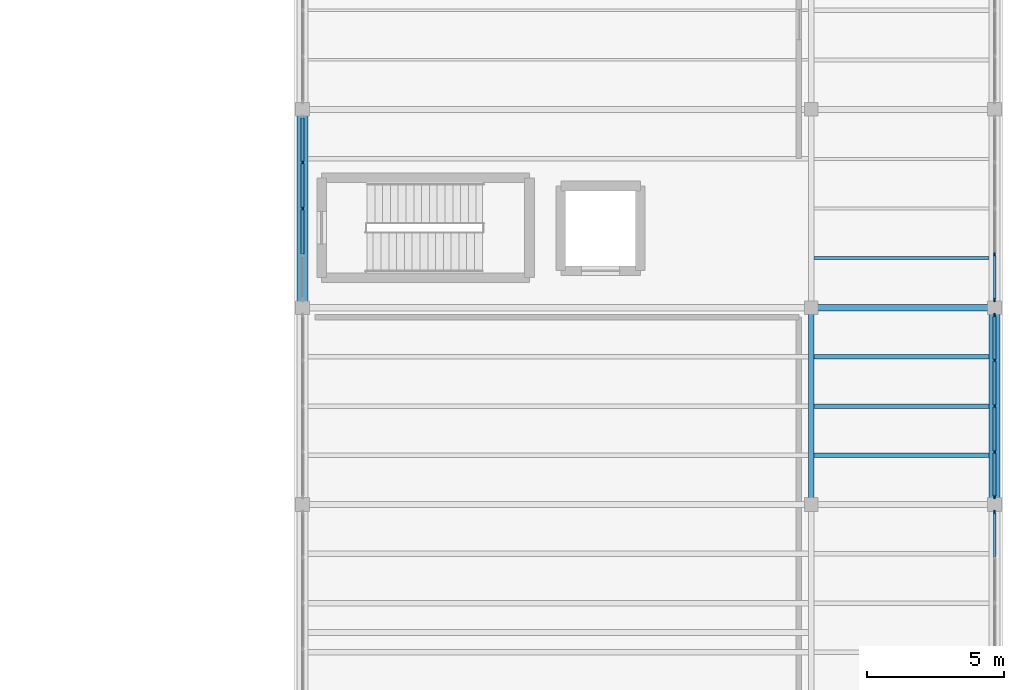
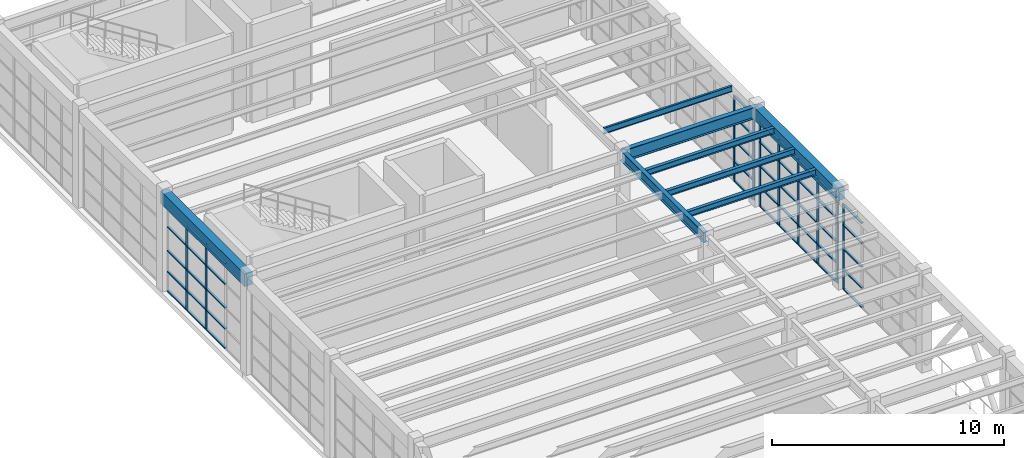
# One storey, part 56 of 103: 54 members, 8 beams, 4 elements without a shape of their own.
"""IFC4 building model written with IfcOpenShell, lengths in metres."""

from ifc_helpers import new_model, si_unit, direction, frame, origin, origin_2d, place, context, subcontext, project, spatial, rectangle, i_section, extrude, material, layer, layer_set, material_profile, profile_set, type_object, element, aggregate, save


model = new_model("IFC4")

# Units and contexts
model_context = context("Model", 3, precision=1e-05, world=origin(), true_north=direction((0.0, 1.0)))
body_context = subcontext(model_context, "Body", "Model", "MODEL_VIEW")
ifc_project = project(units=[si_unit("LENGTHUNIT", "METRE"), si_unit("AREAUNIT", "SQUARE_METRE"), si_unit("VOLUMEUNIT", "CUBIC_METRE"), si_unit("PLANEANGLEUNIT", "RADIAN"), si_unit("MASSUNIT", "GRAM", prefix="KILO")], contexts=[model_context])

# Site, building, storey
site_placement = place(None, origin())
site = spatial("IfcSite", under=ifc_project, at=site_placement, CompositionType="ELEMENT")
building_placement = place(site_placement, origin())
building = spatial("IfcBuilding", under=site, at=building_placement, Name="Candilejo Ridge Gondola Terminal", CompositionType="ELEMENT")
storey_placement = place(building_placement, frame((0.0, 0.0, 9.0)))
storey = spatial("IfcBuildingStorey", under=building, at=storey_placement, Name="L02", CompositionType="ELEMENT", Elevation=9.0)

# Curtain wall, member
ifc_material_1 = material(Name="Anodised aluminium AA 6063-T6", Category="aluminium")
ifc_layer_1 = layer(ifc_material_1, 0.169921875)
ifc_layer_set_1 = layer_set([ifc_layer_1], Name="ARC-CW-TOWER-3000-670X449")
curtain_wall_type_1 = type_object("IfcCurtainWallType", Name="ARC-CW-TOWER-3000-670X449", PredefinedType="NOTDEFINED", material=ifc_layer_set_1)
curtain_wall_1_placement = place(storey_placement, origin())
curtain_wall_1 = element("IfcCurtainWall", 1, at=curtain_wall_1_placement, inside=storey, type_object=curtain_wall_type_1, Name="Curtain wall V5 L02-183", PredefinedType="NOTDEFINED")
ifc_material_2 = material(Name="Anodised aluminium AA 6063-T6", Category="aluminium")
ifc_material_profile_1 = material_profile(ifc_material_2, rectangle(XDim=0.06494140625, YDim=0.14990234375, at=origin_2d()))
ifc_profile_set_1 = profile_set([ifc_material_profile_1], Name="Anodised aluminium AA 6063-T6")
member_type_1 = type_object("IfcMemberType", Name="ARC-CW-MULLION-150", PredefinedType="MULLION", material=ifc_profile_set_1)
member_1_placement = place(storey_placement, frame((175.300048828125, 91.5673828125, 0.0), z_axis=(0.0, 0.0, 1.0), x_axis=(-1.0, 0.0, 0.0)))
member_1 = element("IfcMember", 2, at=member_1_placement, type_object=member_type_1, Name="CW-67X44 mullion 5", PredefinedType="MULLION", context=body_context, shape_type="SweptSolid", body=[
    extrude(rectangle(XDim=0.06494140625, YDim=0.14990234375, at=origin_2d()), origin(), (0.0, 0.0, 1.0), 4.489990234375),
])

# Curtain wall, members
curtain_wall_2_placement = place(storey_placement, origin())
curtain_wall_2 = element("IfcCurtainWall", 3, at=curtain_wall_2_placement, inside=storey, type_object=curtain_wall_type_1, Name="Curtain wall V5 L02-185", PredefinedType="NOTDEFINED")
member_2_placement = place(storey_placement, frame((175.300048828125, 92.132568359375, 0.0), z_axis=(0.0, 0.0, 1.0), x_axis=(-1.0, 0.0, 0.0)))
member_2 = element("IfcMember", 4, at=member_2_placement, type_object=member_type_1, Name="CW-67X44 mullion 1", PredefinedType="MULLION", context=body_context, shape_type="SweptSolid", body=[
    extrude(rectangle(XDim=0.06494140625, YDim=0.14990234375, at=origin_2d()), origin(), (0.0, 0.0, 1.0), 4.489990234375),
])
member_3_placement = place(storey_placement, frame((175.300048828125, 93.77490234375, 0.0), z_axis=(0.0, 0.0, 1.0), x_axis=(-1.0, 0.0, 0.0)))
member_3 = element("IfcMember", 5, at=member_3_placement, type_object=member_type_1, Name="CW-67X44 mullion 2", PredefinedType="MULLION", context=body_context, shape_type="SweptSolid", body=[
    extrude(rectangle(XDim=0.06494140625, YDim=0.14990234375, at=origin_2d()), origin(), (0.0, 0.0, 1.0), 4.489990234375),
])
member_4_placement = place(storey_placement, frame((175.300048828125, 95.449951171875, 0.0), z_axis=(0.0, 0.0, 1.0), x_axis=(-1.0, 0.0, 0.0)))
member_4 = element("IfcMember", 6, at=member_4_placement, type_object=member_type_1, Name="CW-67X44 mullion 3", PredefinedType="MULLION", context=body_context, shape_type="SweptSolid", body=[
    extrude(rectangle(XDim=0.06494140625, YDim=0.14990234375, at=origin_2d()), origin(), (0.0, 0.0, 1.0), 4.489990234375),
])
member_5_placement = place(storey_placement, frame((175.300048828125, 97.125, 0.0), z_axis=(0.0, 0.0, 1.0), x_axis=(-1.0, 0.0, 0.0)))
member_5 = element("IfcMember", 7, at=member_5_placement, type_object=member_type_1, Name="CW-67X44 mullion 4", PredefinedType="MULLION", context=body_context, shape_type="SweptSolid", body=[
    extrude(rectangle(XDim=0.06494140625, YDim=0.14990234375, at=origin_2d()), origin(), (0.0, 0.0, 1.0), 4.489990234375),
])
member_6_placement = place(storey_placement, frame((175.300048828125, 98.767578125, 0.0), z_axis=(0.0, 0.0, 1.0), x_axis=(-1.0, 0.0, 0.0)))
member_6 = element("IfcMember", 8, at=member_6_placement, type_object=member_type_1, Name="CW-67X44 mullion 5", PredefinedType="MULLION", context=body_context, shape_type="SweptSolid", body=[
    extrude(rectangle(XDim=0.06494140625, YDim=0.14990234375, at=origin_2d()), origin(), (0.0, 0.0, 1.0), 4.489990234375),
])

ifc_material_3 = material(Name="Anodised aluminium AA 6063-T6", Category="aluminium")
ifc_layer_2 = layer(ifc_material_3, 0.169921875)
ifc_layer_set_2 = layer_set([ifc_layer_2], Name="ARC-CW-TOWER-3000-675X449")
curtain_wall_type_2 = type_object("IfcCurtainWallType", Name="ARC-CW-TOWER-3000-675X449", PredefinedType="NOTDEFINED", material=ifc_layer_set_2)
curtain_wall_3_placement = place(storey_placement, origin())
curtain_wall_3 = element("IfcCurtainWall", 9, at=curtain_wall_3_placement, inside=storey, type_object=curtain_wall_type_2, Name="Curtain wall V5 L02-186", PredefinedType="NOTDEFINED")
member_7_placement = place(storey_placement, frame((150.0, 102.675048828125, 0.0), z_axis=(0.0, 0.0, 1.0), x_axis=(-1.0, 0.0, 0.0)))
member_7 = element("IfcMember", 10, at=member_7_placement, type_object=member_type_1, Name="CW-67X44 mullion 3", PredefinedType="MULLION", context=body_context, shape_type="SweptSolid", body=[
    extrude(rectangle(XDim=0.06494140625, YDim=0.14990234375, at=origin_2d()), origin(), (0.0, 0.0, 1.0), 4.489990234375),
])
member_8_placement = place(storey_placement, frame((150.0, 104.362548828125, 0.0), z_axis=(0.0, 0.0, 1.0), x_axis=(-1.0, 0.0, 0.0)))
member_8 = element("IfcMember", 11, at=member_8_placement, type_object=member_type_1, Name="CW-67X44 mullion 4", PredefinedType="MULLION", context=body_context, shape_type="SweptSolid", body=[
    extrude(rectangle(XDim=0.06494140625, YDim=0.14990234375, at=origin_2d()), origin(), (0.0, 0.0, 1.0), 4.489990234375),
])

curtain_wall_4_placement = place(storey_placement, origin())
curtain_wall_4 = element("IfcCurtainWall", 12, at=curtain_wall_4_placement, inside=storey, type_object=curtain_wall_type_2, Name="Curtain wall V5 L02-187", PredefinedType="NOTDEFINED")
member_9_placement = place(storey_placement, frame((175.300048828125, 99.33251953125, 0.0), z_axis=(0.0, 0.0, 1.0), x_axis=(-1.0, 0.0, 0.0)))
member_9 = element("IfcMember", 13, at=member_9_placement, type_object=member_type_1, Name="CW-67X44 mullion 1", PredefinedType="MULLION", context=body_context, shape_type="SweptSolid", body=[
    extrude(rectangle(XDim=0.06494140625, YDim=0.14990234375, at=origin_2d()), origin(), (0.0, 0.0, 1.0), 4.489990234375),
])
member_10_placement = place(storey_placement, frame((175.300048828125, 100.987548828125, 0.0), z_axis=(0.0, 0.0, 1.0), x_axis=(-1.0, 0.0, 0.0)))
member_10 = element("IfcMember", 14, at=member_10_placement, type_object=member_type_1, Name="CW-67X44 mullion 2", PredefinedType="MULLION", context=body_context, shape_type="SweptSolid", body=[
    extrude(rectangle(XDim=0.06494140625, YDim=0.14990234375, at=origin_2d()), origin(), (0.0, 0.0, 1.0), 4.489990234375),
])

# Member
ifc_material_4 = material(Name="Anodised aluminium AA 6063-T6", Category="aluminium")
ifc_material_profile_2 = material_profile(ifc_material_4, rectangle(XDim=0.110107421875, YDim=0.06005859375, at=origin_2d()))
ifc_profile_set_2 = profile_set([ifc_material_profile_2], Name="Anodised aluminium AA 6063-T6")
member_type_2 = type_object("IfcMemberType", Name="ARC-CW-TRANSOM-110", PredefinedType="USERDEFINED", material=ifc_profile_set_2)
member_11_placement = place(storey_placement, frame((175.300048828125, 89.95751953125, 0.030029296875), z_axis=(0.0, 1.0, 0.0), x_axis=(-1.0, 0.0, 0.0)))
member_11 = element("IfcMember", 15, at=member_11_placement, type_object=member_type_2, Name="CW-67X44 transom 4.1", ObjectType="TRANSOM", PredefinedType="USERDEFINED", context=body_context, shape_type="SweptSolid", body=[
    extrude(rectangle(XDim=0.110107421875, YDim=0.06005859375, at=origin_2d()), origin(), (0.0, 0.0, 1.0), 1.577392578125),
])

member_12_placement = place(storey_placement, frame((175.300048828125, 89.95751953125, 1.050048828125), z_axis=(0.0, 1.0, 0.0), x_axis=(-1.0, 0.0, 0.0)))
member_12 = element("IfcMember", 16, at=member_12_placement, type_object=member_type_2, Name="CW-67X44 transom 4.2", ObjectType="TRANSOM", PredefinedType="USERDEFINED", context=body_context, shape_type="SweptSolid", body=[
    extrude(rectangle(XDim=0.110107421875, YDim=0.06005859375, at=origin_2d()), origin(), (0.0, 0.0, 1.0), 1.577392578125),
])

member_13_placement = place(storey_placement, frame((175.300048828125, 89.95751953125, 2.14990234375), z_axis=(0.0, 1.0, 0.0), x_axis=(-1.0, 0.0, 0.0)))
member_13 = element("IfcMember", 17, at=member_13_placement, type_object=member_type_2, Name="CW-67X44 transom 4.3", ObjectType="TRANSOM", PredefinedType="USERDEFINED", context=body_context, shape_type="SweptSolid", body=[
    extrude(rectangle(XDim=0.110107421875, YDim=0.06005859375, at=origin_2d()), origin(), (0.0, 0.0, 1.0), 1.577392578125),
])

member_14_placement = place(storey_placement, frame((175.300048828125, 89.95751953125, 3.39990234375), z_axis=(0.0, 1.0, 0.0), x_axis=(-1.0, 0.0, 0.0)))
member_14 = element("IfcMember", 18, at=member_14_placement, type_object=member_type_2, Name="CW-67X44 transom 4.4", ObjectType="TRANSOM", PredefinedType="USERDEFINED", context=body_context, shape_type="SweptSolid", body=[
    extrude(rectangle(XDim=0.110107421875, YDim=0.06005859375, at=origin_2d()), origin(), (0.0, 0.0, 1.0), 1.577392578125),
])

member_15_placement = place(storey_placement, frame((175.300048828125, 89.95751953125, 4.4599609375), z_axis=(0.0, 1.0, 0.0), x_axis=(-1.0, 0.0, 0.0)))
member_15 = element("IfcMember", 19, at=member_15_placement, type_object=member_type_2, Name="CW-67X44 transom 4.5", ObjectType="TRANSOM", PredefinedType="USERDEFINED", context=body_context, shape_type="SweptSolid", body=[
    extrude(rectangle(XDim=0.110107421875, YDim=0.06005859375, at=origin_2d()), origin(), (0.0, 0.0, 1.0), 1.577392578125),
])

aggregate(curtain_wall_1, [member_1, member_11, member_12, member_13, member_14, member_15])

member_16_placement = place(storey_placement, frame((175.300048828125, 92.1650390625, 0.030029296875), z_axis=(0.0, 1.0, 0.0), x_axis=(-1.0, 0.0, 0.0)))
member_16 = element("IfcMember", 20, at=member_16_placement, type_object=member_type_2, Name="CW-67X44 transom 1.1", ObjectType="TRANSOM", PredefinedType="USERDEFINED", context=body_context, shape_type="SweptSolid", body=[
    extrude(rectangle(XDim=0.110107421875, YDim=0.06005859375, at=origin_2d()), origin(), (0.0, 0.0, 1.0), 1.577392578125),
])

member_17_placement = place(storey_placement, frame((175.300048828125, 92.1650390625, 1.050048828125), z_axis=(0.0, 1.0, 0.0), x_axis=(-1.0, 0.0, 0.0)))
member_17 = element("IfcMember", 21, at=member_17_placement, type_object=member_type_2, Name="CW-67X44 transom 1.2", ObjectType="TRANSOM", PredefinedType="USERDEFINED", context=body_context, shape_type="SweptSolid", body=[
    extrude(rectangle(XDim=0.110107421875, YDim=0.06005859375, at=origin_2d()), origin(), (0.0, 0.0, 1.0), 1.577392578125),
])

member_18_placement = place(storey_placement, frame((175.300048828125, 92.1650390625, 2.14990234375), z_axis=(0.0, 1.0, 0.0), x_axis=(-1.0, 0.0, 0.0)))
member_18 = element("IfcMember", 22, at=member_18_placement, type_object=member_type_2, Name="CW-67X44 transom 1.3", ObjectType="TRANSOM", PredefinedType="USERDEFINED", context=body_context, shape_type="SweptSolid", body=[
    extrude(rectangle(XDim=0.110107421875, YDim=0.06005859375, at=origin_2d()), origin(), (0.0, 0.0, 1.0), 1.577392578125),
])

member_19_placement = place(storey_placement, frame((175.300048828125, 92.1650390625, 3.39990234375), z_axis=(0.0, 1.0, 0.0), x_axis=(-1.0, 0.0, 0.0)))
member_19 = element("IfcMember", 23, at=member_19_placement, type_object=member_type_2, Name="CW-67X44 transom 1.4", ObjectType="TRANSOM", PredefinedType="USERDEFINED", context=body_context, shape_type="SweptSolid", body=[
    extrude(rectangle(XDim=0.110107421875, YDim=0.06005859375, at=origin_2d()), origin(), (0.0, 0.0, 1.0), 1.577392578125),
])

member_20_placement = place(storey_placement, frame((175.300048828125, 92.1650390625, 4.4599609375), z_axis=(0.0, 1.0, 0.0), x_axis=(-1.0, 0.0, 0.0)))
member_20 = element("IfcMember", 24, at=member_20_placement, type_object=member_type_2, Name="CW-67X44 transom 1.5", ObjectType="TRANSOM", PredefinedType="USERDEFINED", context=body_context, shape_type="SweptSolid", body=[
    extrude(rectangle(XDim=0.110107421875, YDim=0.06005859375, at=origin_2d()), origin(), (0.0, 0.0, 1.0), 1.577392578125),
])

member_21_placement = place(storey_placement, frame((175.300048828125, 93.8076171875, 0.030029296875), z_axis=(0.0, 1.0, 0.0), x_axis=(-1.0, 0.0, 0.0)))
member_21 = element("IfcMember", 25, at=member_21_placement, type_object=member_type_2, Name="CW-67X44 transom 2.1", ObjectType="TRANSOM", PredefinedType="USERDEFINED", context=body_context, shape_type="SweptSolid", body=[
    extrude(rectangle(XDim=0.110107421875, YDim=0.06005859375, at=origin_2d()), origin(), (0.0, 0.0, 1.0), 1.60986328125),
])

member_22_placement = place(storey_placement, frame((175.300048828125, 93.8076171875, 1.050048828125), z_axis=(0.0, 1.0, 0.0), x_axis=(-1.0, 0.0, 0.0)))
member_22 = element("IfcMember", 26, at=member_22_placement, type_object=member_type_2, Name="CW-67X44 transom 2.2", ObjectType="TRANSOM", PredefinedType="USERDEFINED", context=body_context, shape_type="SweptSolid", body=[
    extrude(rectangle(XDim=0.110107421875, YDim=0.06005859375, at=origin_2d()), origin(), (0.0, 0.0, 1.0), 1.60986328125),
])

member_23_placement = place(storey_placement, frame((175.300048828125, 93.8076171875, 2.14990234375), z_axis=(0.0, 1.0, 0.0), x_axis=(-1.0, 0.0, 0.0)))
member_23 = element("IfcMember", 27, at=member_23_placement, type_object=member_type_2, Name="CW-67X44 transom 2.3", ObjectType="TRANSOM", PredefinedType="USERDEFINED", context=body_context, shape_type="SweptSolid", body=[
    extrude(rectangle(XDim=0.110107421875, YDim=0.06005859375, at=origin_2d()), origin(), (0.0, 0.0, 1.0), 1.60986328125),
])

member_24_placement = place(storey_placement, frame((175.300048828125, 93.8076171875, 3.39990234375), z_axis=(0.0, 1.0, 0.0), x_axis=(-1.0, 0.0, 0.0)))
member_24 = element("IfcMember", 28, at=member_24_placement, type_object=member_type_2, Name="CW-67X44 transom 2.4", ObjectType="TRANSOM", PredefinedType="USERDEFINED", context=body_context, shape_type="SweptSolid", body=[
    extrude(rectangle(XDim=0.110107421875, YDim=0.06005859375, at=origin_2d()), origin(), (0.0, 0.0, 1.0), 1.60986328125),
])

member_25_placement = place(storey_placement, frame((175.300048828125, 93.8076171875, 4.4599609375), z_axis=(0.0, 1.0, 0.0), x_axis=(-1.0, 0.0, 0.0)))
member_25 = element("IfcMember", 29, at=member_25_placement, type_object=member_type_2, Name="CW-67X44 transom 2.5", ObjectType="TRANSOM", PredefinedType="USERDEFINED", context=body_context, shape_type="SweptSolid", body=[
    extrude(rectangle(XDim=0.110107421875, YDim=0.06005859375, at=origin_2d()), origin(), (0.0, 0.0, 1.0), 1.60986328125),
])

member_26_placement = place(storey_placement, frame((175.300048828125, 95.482421875, 0.030029296875), z_axis=(0.0, 1.0, 0.0), x_axis=(-1.0, 0.0, 0.0)))
member_26 = element("IfcMember", 30, at=member_26_placement, type_object=member_type_2, Name="CW-67X44 transom 3.1", ObjectType="TRANSOM", PredefinedType="USERDEFINED", context=body_context, shape_type="SweptSolid", body=[
    extrude(rectangle(XDim=0.110107421875, YDim=0.06005859375, at=origin_2d()), origin(), (0.0, 0.0, 1.0), 1.610107421875),
])

member_27_placement = place(storey_placement, frame((175.300048828125, 95.482421875, 1.050048828125), z_axis=(0.0, 1.0, 0.0), x_axis=(-1.0, 0.0, 0.0)))
member_27 = element("IfcMember", 31, at=member_27_placement, type_object=member_type_2, Name="CW-67X44 transom 3.2", ObjectType="TRANSOM", PredefinedType="USERDEFINED", context=body_context, shape_type="SweptSolid", body=[
    extrude(rectangle(XDim=0.110107421875, YDim=0.06005859375, at=origin_2d()), origin(), (0.0, 0.0, 1.0), 1.610107421875),
])

member_28_placement = place(storey_placement, frame((175.300048828125, 95.482421875, 2.14990234375), z_axis=(0.0, 1.0, 0.0), x_axis=(-1.0, 0.0, 0.0)))
member_28 = element("IfcMember", 32, at=member_28_placement, type_object=member_type_2, Name="CW-67X44 transom 3.3", ObjectType="TRANSOM", PredefinedType="USERDEFINED", context=body_context, shape_type="SweptSolid", body=[
    extrude(rectangle(XDim=0.110107421875, YDim=0.06005859375, at=origin_2d()), origin(), (0.0, 0.0, 1.0), 1.610107421875),
])

member_29_placement = place(storey_placement, frame((175.300048828125, 95.482421875, 3.39990234375), z_axis=(0.0, 1.0, 0.0), x_axis=(-1.0, 0.0, 0.0)))
member_29 = element("IfcMember", 33, at=member_29_placement, type_object=member_type_2, Name="CW-67X44 transom 3.4", ObjectType="TRANSOM", PredefinedType="USERDEFINED", context=body_context, shape_type="SweptSolid", body=[
    extrude(rectangle(XDim=0.110107421875, YDim=0.06005859375, at=origin_2d()), origin(), (0.0, 0.0, 1.0), 1.610107421875),
])

member_30_placement = place(storey_placement, frame((175.300048828125, 95.482421875, 4.4599609375), z_axis=(0.0, 1.0, 0.0), x_axis=(-1.0, 0.0, 0.0)))
member_30 = element("IfcMember", 34, at=member_30_placement, type_object=member_type_2, Name="CW-67X44 transom 3.5", ObjectType="TRANSOM", PredefinedType="USERDEFINED", context=body_context, shape_type="SweptSolid", body=[
    extrude(rectangle(XDim=0.110107421875, YDim=0.06005859375, at=origin_2d()), origin(), (0.0, 0.0, 1.0), 1.610107421875),
])

member_31_placement = place(storey_placement, frame((175.300048828125, 97.157470703125, 0.030029296875), z_axis=(0.0, 1.0, 0.0), x_axis=(-1.0, 0.0, 0.0)))
member_31 = element("IfcMember", 35, at=member_31_placement, type_object=member_type_2, Name="CW-67X44 transom 4.1", ObjectType="TRANSOM", PredefinedType="USERDEFINED", context=body_context, shape_type="SweptSolid", body=[
    extrude(rectangle(XDim=0.110107421875, YDim=0.06005859375, at=origin_2d()), origin(), (0.0, 0.0, 1.0), 1.57763671875),
])

member_32_placement = place(storey_placement, frame((175.300048828125, 97.157470703125, 1.050048828125), z_axis=(0.0, 1.0, 0.0), x_axis=(-1.0, 0.0, 0.0)))
member_32 = element("IfcMember", 36, at=member_32_placement, type_object=member_type_2, Name="CW-67X44 transom 4.2", ObjectType="TRANSOM", PredefinedType="USERDEFINED", context=body_context, shape_type="SweptSolid", body=[
    extrude(rectangle(XDim=0.110107421875, YDim=0.06005859375, at=origin_2d()), origin(), (0.0, 0.0, 1.0), 1.57763671875),
])

member_33_placement = place(storey_placement, frame((175.300048828125, 97.157470703125, 2.14990234375), z_axis=(0.0, 1.0, 0.0), x_axis=(-1.0, 0.0, 0.0)))
member_33 = element("IfcMember", 37, at=member_33_placement, type_object=member_type_2, Name="CW-67X44 transom 4.3", ObjectType="TRANSOM", PredefinedType="USERDEFINED", context=body_context, shape_type="SweptSolid", body=[
    extrude(rectangle(XDim=0.110107421875, YDim=0.06005859375, at=origin_2d()), origin(), (0.0, 0.0, 1.0), 1.57763671875),
])

member_34_placement = place(storey_placement, frame((175.300048828125, 97.157470703125, 3.39990234375), z_axis=(0.0, 1.0, 0.0), x_axis=(-1.0, 0.0, 0.0)))
member_34 = element("IfcMember", 38, at=member_34_placement, type_object=member_type_2, Name="CW-67X44 transom 4.4", ObjectType="TRANSOM", PredefinedType="USERDEFINED", context=body_context, shape_type="SweptSolid", body=[
    extrude(rectangle(XDim=0.110107421875, YDim=0.06005859375, at=origin_2d()), origin(), (0.0, 0.0, 1.0), 1.57763671875),
])

member_35_placement = place(storey_placement, frame((175.300048828125, 97.157470703125, 4.4599609375), z_axis=(0.0, 1.0, 0.0), x_axis=(-1.0, 0.0, 0.0)))
member_35 = element("IfcMember", 39, at=member_35_placement, type_object=member_type_2, Name="CW-67X44 transom 4.5", ObjectType="TRANSOM", PredefinedType="USERDEFINED", context=body_context, shape_type="SweptSolid", body=[
    extrude(rectangle(XDim=0.110107421875, YDim=0.06005859375, at=origin_2d()), origin(), (0.0, 0.0, 1.0), 1.57763671875),
])

aggregate(curtain_wall_2, [member_2, member_3, member_4, member_5, member_6, member_16, member_17, member_18, member_19, member_20, member_21, member_22, member_23, member_24, member_25, member_26, member_27, member_28, member_29, member_30, member_31, member_32, member_33, member_34, member_35])

member_36_placement = place(storey_placement, frame((150.0, 101.02001953125, 0.030029296875), z_axis=(0.0, 1.0, 0.0), x_axis=(-1.0, 0.0, 0.0)))
member_36 = element("IfcMember", 40, at=member_36_placement, type_object=member_type_2, Name="CW-67X44 transom 2.1", ObjectType="TRANSOM", PredefinedType="USERDEFINED", context=body_context, shape_type="SweptSolid", body=[
    extrude(rectangle(XDim=0.110107421875, YDim=0.06005859375, at=origin_2d()), origin(), (0.0, 0.0, 1.0), 1.62255859375),
])

member_37_placement = place(storey_placement, frame((150.0, 101.02001953125, 1.050048828125), z_axis=(0.0, 1.0, 0.0), x_axis=(-1.0, 0.0, 0.0)))
member_37 = element("IfcMember", 41, at=member_37_placement, type_object=member_type_2, Name="CW-67X44 transom 2.2", ObjectType="TRANSOM", PredefinedType="USERDEFINED", context=body_context, shape_type="SweptSolid", body=[
    extrude(rectangle(XDim=0.110107421875, YDim=0.06005859375, at=origin_2d()), origin(), (0.0, 0.0, 1.0), 1.62255859375),
])

member_38_placement = place(storey_placement, frame((150.0, 101.02001953125, 2.14990234375), z_axis=(0.0, 1.0, 0.0), x_axis=(-1.0, 0.0, 0.0)))
member_38 = element("IfcMember", 42, at=member_38_placement, type_object=member_type_2, Name="CW-67X44 transom 2.3", ObjectType="TRANSOM", PredefinedType="USERDEFINED", context=body_context, shape_type="SweptSolid", body=[
    extrude(rectangle(XDim=0.110107421875, YDim=0.06005859375, at=origin_2d()), origin(), (0.0, 0.0, 1.0), 1.62255859375),
])

member_39_placement = place(storey_placement, frame((150.0, 101.02001953125, 3.39990234375), z_axis=(0.0, 1.0, 0.0), x_axis=(-1.0, 0.0, 0.0)))
member_39 = element("IfcMember", 43, at=member_39_placement, type_object=member_type_2, Name="CW-67X44 transom 2.4", ObjectType="TRANSOM", PredefinedType="USERDEFINED", context=body_context, shape_type="SweptSolid", body=[
    extrude(rectangle(XDim=0.110107421875, YDim=0.06005859375, at=origin_2d()), origin(), (0.0, 0.0, 1.0), 1.62255859375),
])

member_40_placement = place(storey_placement, frame((150.0, 101.02001953125, 4.4599609375), z_axis=(0.0, 1.0, 0.0), x_axis=(-1.0, 0.0, 0.0)))
member_40 = element("IfcMember", 44, at=member_40_placement, type_object=member_type_2, Name="CW-67X44 transom 2.5", ObjectType="TRANSOM", PredefinedType="USERDEFINED", context=body_context, shape_type="SweptSolid", body=[
    extrude(rectangle(XDim=0.110107421875, YDim=0.06005859375, at=origin_2d()), origin(), (0.0, 0.0, 1.0), 1.62255859375),
])

member_41_placement = place(storey_placement, frame((150.0, 102.70751953125, 0.030029296875), z_axis=(0.0, 1.0, 0.0), x_axis=(-1.0, 0.0, 0.0)))
member_41 = element("IfcMember", 45, at=member_41_placement, type_object=member_type_2, Name="CW-67X44 transom 3.1", ObjectType="TRANSOM", PredefinedType="USERDEFINED", context=body_context, shape_type="SweptSolid", body=[
    extrude(rectangle(XDim=0.110107421875, YDim=0.06005859375, at=origin_2d()), origin(), (0.0, 0.0, 1.0), 1.62255859375),
])

member_42_placement = place(storey_placement, frame((150.0, 102.70751953125, 1.050048828125), z_axis=(0.0, 1.0, 0.0), x_axis=(-1.0, 0.0, 0.0)))
member_42 = element("IfcMember", 46, at=member_42_placement, type_object=member_type_2, Name="CW-67X44 transom 3.2", ObjectType="TRANSOM", PredefinedType="USERDEFINED", context=body_context, shape_type="SweptSolid", body=[
    extrude(rectangle(XDim=0.110107421875, YDim=0.06005859375, at=origin_2d()), origin(), (0.0, 0.0, 1.0), 1.62255859375),
])

member_43_placement = place(storey_placement, frame((150.0, 102.70751953125, 2.14990234375), z_axis=(0.0, 1.0, 0.0), x_axis=(-1.0, 0.0, 0.0)))
member_43 = element("IfcMember", 47, at=member_43_placement, type_object=member_type_2, Name="CW-67X44 transom 3.3", ObjectType="TRANSOM", PredefinedType="USERDEFINED", context=body_context, shape_type="SweptSolid", body=[
    extrude(rectangle(XDim=0.110107421875, YDim=0.06005859375, at=origin_2d()), origin(), (0.0, 0.0, 1.0), 1.62255859375),
])

member_44_placement = place(storey_placement, frame((150.0, 102.70751953125, 3.39990234375), z_axis=(0.0, 1.0, 0.0), x_axis=(-1.0, 0.0, 0.0)))
member_44 = element("IfcMember", 48, at=member_44_placement, type_object=member_type_2, Name="CW-67X44 transom 3.4", ObjectType="TRANSOM", PredefinedType="USERDEFINED", context=body_context, shape_type="SweptSolid", body=[
    extrude(rectangle(XDim=0.110107421875, YDim=0.06005859375, at=origin_2d()), origin(), (0.0, 0.0, 1.0), 1.62255859375),
])

member_45_placement = place(storey_placement, frame((150.0, 102.70751953125, 4.4599609375), z_axis=(0.0, 1.0, 0.0), x_axis=(-1.0, 0.0, 0.0)))
member_45 = element("IfcMember", 49, at=member_45_placement, type_object=member_type_2, Name="CW-67X44 transom 3.5", ObjectType="TRANSOM", PredefinedType="USERDEFINED", context=body_context, shape_type="SweptSolid", body=[
    extrude(rectangle(XDim=0.110107421875, YDim=0.06005859375, at=origin_2d()), origin(), (0.0, 0.0, 1.0), 1.62255859375),
])

member_46_placement = place(storey_placement, frame((150.0, 104.39501953125, 0.030029296875), z_axis=(0.0, 1.0, 0.0), x_axis=(-1.0, 0.0, 0.0)))
member_46 = element("IfcMember", 50, at=member_46_placement, type_object=member_type_2, Name="CW-67X44 transom 4.1", ObjectType="TRANSOM", PredefinedType="USERDEFINED", context=body_context, shape_type="SweptSolid", body=[
    extrude(rectangle(XDim=0.110107421875, YDim=0.06005859375, at=origin_2d()), origin(), (0.0, 0.0, 1.0), 1.590087890625),
])

member_47_placement = place(storey_placement, frame((150.0, 104.39501953125, 1.050048828125), z_axis=(0.0, 1.0, 0.0), x_axis=(-1.0, 0.0, 0.0)))
member_47 = element("IfcMember", 51, at=member_47_placement, type_object=member_type_2, Name="CW-67X44 transom 4.2", ObjectType="TRANSOM", PredefinedType="USERDEFINED", context=body_context, shape_type="SweptSolid", body=[
    extrude(rectangle(XDim=0.110107421875, YDim=0.06005859375, at=origin_2d()), origin(), (0.0, 0.0, 1.0), 1.590087890625),
])

member_48_placement = place(storey_placement, frame((150.0, 104.39501953125, 2.14990234375), z_axis=(0.0, 1.0, 0.0), x_axis=(-1.0, 0.0, 0.0)))
member_48 = element("IfcMember", 52, at=member_48_placement, type_object=member_type_2, Name="CW-67X44 transom 4.3", ObjectType="TRANSOM", PredefinedType="USERDEFINED", context=body_context, shape_type="SweptSolid", body=[
    extrude(rectangle(XDim=0.110107421875, YDim=0.06005859375, at=origin_2d()), origin(), (0.0, 0.0, 1.0), 1.590087890625),
])

member_49_placement = place(storey_placement, frame((150.0, 104.39501953125, 3.39990234375), z_axis=(0.0, 1.0, 0.0), x_axis=(-1.0, 0.0, 0.0)))
member_49 = element("IfcMember", 53, at=member_49_placement, type_object=member_type_2, Name="CW-67X44 transom 4.4", ObjectType="TRANSOM", PredefinedType="USERDEFINED", context=body_context, shape_type="SweptSolid", body=[
    extrude(rectangle(XDim=0.110107421875, YDim=0.06005859375, at=origin_2d()), origin(), (0.0, 0.0, 1.0), 1.590087890625),
])

aggregate(curtain_wall_3, [member_7, member_8, member_36, member_37, member_38, member_39, member_40, member_41, member_42, member_43, member_44, member_45, member_46, member_47, member_48, member_49])

member_50_placement = place(storey_placement, frame((175.300048828125, 99.364990234375, 0.030029296875), z_axis=(0.0, 1.0, 0.0), x_axis=(-1.0, 0.0, 0.0)))
member_50 = element("IfcMember", 54, at=member_50_placement, type_object=member_type_2, Name="CW-67X44 transom 1.1", ObjectType="TRANSOM", PredefinedType="USERDEFINED", context=body_context, shape_type="SweptSolid", body=[
    extrude(rectangle(XDim=0.110107421875, YDim=0.06005859375, at=origin_2d()), origin(), (0.0, 0.0, 1.0), 1.590087890625),
])

member_51_placement = place(storey_placement, frame((175.300048828125, 99.364990234375, 1.050048828125), z_axis=(0.0, 1.0, 0.0), x_axis=(-1.0, 0.0, 0.0)))
member_51 = element("IfcMember", 55, at=member_51_placement, type_object=member_type_2, Name="CW-67X44 transom 1.2", ObjectType="TRANSOM", PredefinedType="USERDEFINED", context=body_context, shape_type="SweptSolid", body=[
    extrude(rectangle(XDim=0.110107421875, YDim=0.06005859375, at=origin_2d()), origin(), (0.0, 0.0, 1.0), 1.590087890625),
])

member_52_placement = place(storey_placement, frame((175.300048828125, 99.364990234375, 2.14990234375), z_axis=(0.0, 1.0, 0.0), x_axis=(-1.0, 0.0, 0.0)))
member_52 = element("IfcMember", 56, at=member_52_placement, type_object=member_type_2, Name="CW-67X44 transom 1.3", ObjectType="TRANSOM", PredefinedType="USERDEFINED", context=body_context, shape_type="SweptSolid", body=[
    extrude(rectangle(XDim=0.110107421875, YDim=0.06005859375, at=origin_2d()), origin(), (0.0, 0.0, 1.0), 1.590087890625),
])

member_53_placement = place(storey_placement, frame((175.300048828125, 99.364990234375, 3.39990234375), z_axis=(0.0, 1.0, 0.0), x_axis=(-1.0, 0.0, 0.0)))
member_53 = element("IfcMember", 57, at=member_53_placement, type_object=member_type_2, Name="CW-67X44 transom 1.4", ObjectType="TRANSOM", PredefinedType="USERDEFINED", context=body_context, shape_type="SweptSolid", body=[
    extrude(rectangle(XDim=0.110107421875, YDim=0.06005859375, at=origin_2d()), origin(), (0.0, 0.0, 1.0), 1.590087890625),
])

member_54_placement = place(storey_placement, frame((175.300048828125, 99.364990234375, 4.4599609375), z_axis=(0.0, 1.0, 0.0), x_axis=(-1.0, 0.0, 0.0)))
member_54 = element("IfcMember", 58, at=member_54_placement, type_object=member_type_2, Name="CW-67X44 transom 1.5", ObjectType="TRANSOM", PredefinedType="USERDEFINED", context=body_context, shape_type="SweptSolid", body=[
    extrude(rectangle(XDim=0.110107421875, YDim=0.06005859375, at=origin_2d()), origin(), (0.0, 0.0, 1.0), 1.590087890625),
])

aggregate(curtain_wall_4, [member_9, member_10, member_50, member_51, member_52, member_53, member_54])

# Beams
ifc_material_5 = material(Name="Steel ASTM A992 Grade 50", Category="steel")
ifc_material_profile_3 = material_profile(ifc_material_5, i_section(OverallWidth=0.208984375, OverallDepth=0.532958984375, WebThickness=0.01025390625, FlangeThickness=0.015625, at=origin_2d()))
ifc_profile_set_3 = profile_set([ifc_material_profile_3], Name="Steel ASTM A992 Grade 50")
beam_type_1 = type_object("IfcBeamType", Name="STR-BM-W530X92", PredefinedType="BEAM", material=ifc_profile_set_3)
beam_1_placement = place(storey_placement, frame((168.60009765625, 91.85009765625, 4.8935546875), z_axis=(0.0, 1.0, 0.0), x_axis=(-1.0, 0.0, 0.0)))
element("IfcBeam", 59, at=beam_1_placement, inside=storey, type_object=beam_type_1, Name="Beam Y V5 L02 Y16-Y17@X25", PredefinedType="BEAM", context=body_context, shape_type="SweptSolid", body=[
    extrude(i_section(OverallWidth=0.208984375, OverallDepth=0.532958984375, WebThickness=0.01025390625, FlangeThickness=0.015625, at=origin_2d()), origin(), (0.0, 0.0, 1.0), 7.199951171875),
])
ifc_material_6 = material(Name="Steel ASTM A992 Grade 50", Category="steel")
ifc_material_profile_4 = material_profile(ifc_material_6, i_section(OverallWidth=0.22900390625, OverallDepth=0.612060546875, WebThickness=0.011962890625, FlangeThickness=0.01953125, at=origin_2d()))
ifc_profile_set_4 = profile_set([ifc_material_profile_4], Name="Steel ASTM A992 Grade 50")
beam_type_2 = type_object("IfcBeamType", Name="STR-BM-W610X125", PredefinedType="BEAM", material=ifc_profile_set_4)
beam_2_placement = place(storey_placement, frame((168.60009765625, 99.050048828125, 4.85400390625), z_axis=(1.0, 0.0, 0.0), x_axis=(0.0, 1.0, 0.0)))
element("IfcBeam", 60, at=beam_2_placement, inside=storey, type_object=beam_type_2, Name="Beam X V5 L02 X25-X27@Y17", PredefinedType="BEAM", context=body_context, shape_type="SweptSolid", body=[
    extrude(i_section(OverallWidth=0.22900390625, OverallDepth=0.612060546875, WebThickness=0.011962890625, FlangeThickness=0.01953125, at=origin_2d()), origin(), (0.0, 0.0, 1.0), 6.699951171875),
])
ifc_material_7 = material(Name="Steel ASTM A992 Grade 50", Category="steel")
ifc_material_profile_5 = material_profile(ifc_material_7, i_section(OverallWidth=0.10205078125, OverallDepth=0.31298828125, WebThickness=0.006591796875, FlangeThickness=0.0107421875, at=origin_2d()))
ifc_profile_set_5 = profile_set([ifc_material_profile_5], Name="Steel ASTM A992 Grade 50")
beam_type_3 = type_object("IfcBeamType", Name="STR-JST-W310X33", PredefinedType="JOIST", material=ifc_profile_set_5)
beam_3_placement = place(storey_placement, frame((168.70458984375, 100.862548828125, 5.00341796875), z_axis=(1.0, 0.0, 0.0), x_axis=(0.0, 1.0, 0.0)))
element("IfcBeam", 61, at=beam_3_placement, inside=storey, type_object=beam_type_3, Name="Composite joist V5 L02-1335", PredefinedType="JOIST", context=body_context, shape_type="SweptSolid", body=[
    extrude(i_section(OverallWidth=0.10205078125, OverallDepth=0.31298828125, WebThickness=0.006591796875, FlangeThickness=0.0107421875, at=origin_2d()), origin(), (0.0, 0.0, 1.0), 6.3955078125),
])
ifc_material_8 = material(Name="Steel ASTM A992 Grade 50", Category="steel")
ifc_material_profile_6 = material_profile(ifc_material_8, i_section(OverallWidth=0.1650390625, OverallDepth=0.31005859375, WebThickness=0.005859375, FlangeThickness=0.009765625, at=origin_2d()))
ifc_profile_set_6 = profile_set([ifc_material_profile_6], Name="Steel ASTM A992 Grade 50")
beam_type_4 = type_object("IfcBeamType", Name="STR-JST-W310X39", PredefinedType="JOIST", material=ifc_profile_set_6)
for number, where, z_axis, x_axis, name in (
    (62, (168.70458984375, 93.64990234375, 5.0048828125), (1.0, 0.0, 0.0), (0.0, 1.0, 0.0), "Composite joist V5 L02-1332"),
    (63, (168.70458984375, 95.449951171875, 5.0048828125), (1.0, 0.0, 0.0), (0.0, 1.0, 0.0), "Composite joist V5 L02-1333"),
    (64, (168.70458984375, 97.25, 5.0048828125), (1.0, 0.0, 0.0), (0.0, 1.0, 0.0), "Composite joist V5 L02-1334"),
):
    element("IfcBeam", number, at=place(storey_placement, frame(where, z_axis=z_axis, x_axis=x_axis)), inside=storey, type_object=beam_type_4, Name=name, PredefinedType="JOIST", context=body_context, shape_type="SweptSolid", body=[
        extrude(i_section(OverallWidth=0.1650390625, OverallDepth=0.31005859375, WebThickness=0.005859375, FlangeThickness=0.009765625, at=origin_2d()), origin(), (0.0, 0.0, 1.0), 6.3955078125),
    ])
ifc_material_9 = material(Name="Concrete f'c 35 MPa (C35/45)", Category="concrete")
ifc_material_profile_7 = material_profile(ifc_material_9, rectangle(XDim=0.39990234375, YDim=0.64990234375, at=origin_2d()))
ifc_profile_set_7 = profile_set([ifc_material_profile_7], Name="Concrete f'c 35 MPa (C35/45)")
beam_type_5 = type_object("IfcBeamType", Name="STR-SPN-RC400X650", PredefinedType="SPANDREL", material=ifc_profile_set_7)
beam_4_placement = place(storey_placement, frame((150.0, 99.050048828125, 4.8349609375), z_axis=(0.0, 1.0, 0.0), x_axis=(-1.0, 0.0, 0.0)))
element("IfcBeam", 65, at=beam_4_placement, inside=storey, type_object=beam_type_5, Name="Beam Y V5 L02 Y17-Y18@X23", PredefinedType="SPANDREL", context=body_context, shape_type="SweptSolid", body=[
    extrude(rectangle(XDim=0.39990234375, YDim=0.64990234375, at=origin_2d()), origin(), (0.0, 0.0, 1.0), 7.25),
])
beam_5_placement = place(storey_placement, frame((175.300048828125, 91.85009765625, 4.8349609375), z_axis=(0.0, 1.0, 0.0), x_axis=(-1.0, 0.0, 0.0)))
element("IfcBeam", 66, at=beam_5_placement, inside=storey, type_object=beam_type_5, Name="Beam Y V5 L02 Y16-Y17@X27", PredefinedType="SPANDREL", context=body_context, shape_type="SweptSolid", body=[
    extrude(rectangle(XDim=0.39990234375, YDim=0.64990234375, at=origin_2d()), origin(), (0.0, 0.0, 1.0), 7.199951171875),
])

save(model, "model.ifc")
